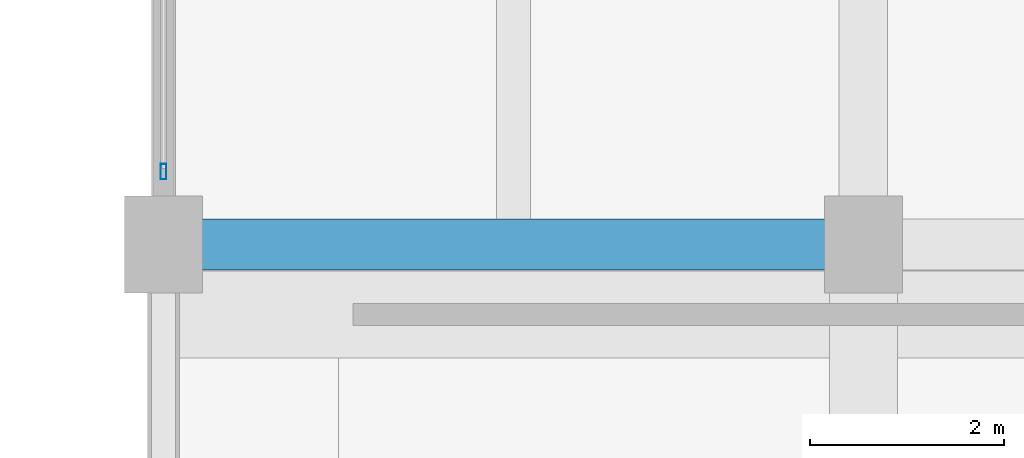
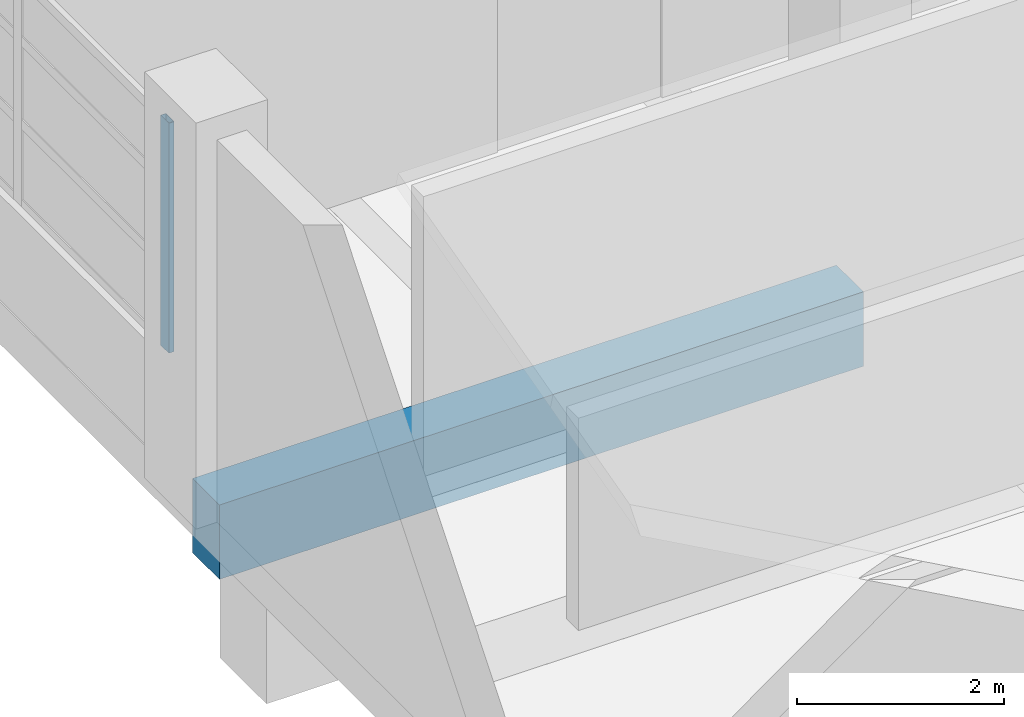
# One storey, part 4 of 140: 1 beam, 1 member, 1 element without a shape of its own.
"""IFC4 building model written with IfcOpenShell, lengths in metres."""

from ifc_helpers import new_model, si_unit, direction, frame, origin, origin_2d, place, context, subcontext, project, spatial, rectangle, hollow_rectangle, extrude, material, layer, layer_set, material_profile, profile_set, type_object, element, aggregate, save


model = new_model("IFC4")

# Units and contexts
model_context = context("Model", 3, precision=1e-05, world=origin(), true_north=direction((0.0, 1.0)))
body_context = subcontext(model_context, "Body", "Model", "MODEL_VIEW")
ifc_project = project(units=[si_unit("LENGTHUNIT", "METRE"), si_unit("AREAUNIT", "SQUARE_METRE"), si_unit("VOLUMEUNIT", "CUBIC_METRE"), si_unit("PLANEANGLEUNIT", "RADIAN"), si_unit("MASSUNIT", "GRAM", prefix="KILO")], contexts=[model_context])

# Site, building, storey
site_placement = place(None, origin())
site = spatial("IfcSite", under=ifc_project, at=site_placement, CompositionType="ELEMENT")
building_placement = place(site_placement, origin())
building = spatial("IfcBuilding", under=site, at=building_placement, Name="Seraya Terrace Polytechnic", CompositionType="ELEMENT")
storey_placement = place(building_placement, frame((0.0, 0.0, 9.60009765625)))
storey = spatial("IfcBuildingStorey", under=building, at=storey_placement, Name="L02", CompositionType="ELEMENT", Elevation=9.60009765625)

# Beam
ifc_material_1 = material(Name="Concrete C40/50", Category="concrete")
ifc_material_profile_1 = material_profile(ifc_material_1, rectangle(XDim=0.52001953125, YDim=0.8798828125, at=origin_2d()), Name="RC 520x880")
ifc_profile_set_1 = profile_set([ifc_material_profile_1], Name="Concrete C40/50")
beam_type = type_object("IfcBeamType", Name="BM-04", PredefinedType="BEAM", material=ifc_profile_set_1)
beam_placement = place(storey_placement, frame((0.0, 14.39990234375, -0.440185546875), z_axis=(1.0, 0.0, 0.0), x_axis=(0.0, 1.0, 0.0)))
element("IfcBeam", 1, at=beam_placement, inside=storey, type_object=beam_type, Name="Beam BM-04 L02 X (0.0..7.2, 14.4)", PredefinedType="BEAM", context=body_context, shape_type="SweptSolid", body=[
    extrude(rectangle(XDim=0.52001953125, YDim=0.8798828125, at=origin_2d()), origin(), (0.0, 0.0, 1.0), 7.199951171875),
])

# Curtain wall, member
ifc_material_2 = material(Name="Anodised aluminium EN AW-6063 T6", Category="aluminium")
ifc_layer = layer(ifc_material_2, 0.179931640625, Name="CW-05")
ifc_layer_set = layer_set([ifc_layer], Name="Anodised aluminium EN AW-6063 T6")
curtain_wall_type = type_object("IfcCurtainWallType", Name="CW-05", PredefinedType="NOTDEFINED", material=ifc_layer_set)
curtain_wall_placement = place(storey_placement, origin())
curtain_wall = element("IfcCurtainWall", 2, at=curtain_wall_placement, inside=storey, type_object=curtain_wall_type, Name="Unitised curtain wall CW-05 (CW-L02-077)", PredefinedType="NOTDEFINED")
ifc_material_profile_2 = material_profile(ifc_material_2, hollow_rectangle(XDim=0.06005859375, YDim=0.159912109375, WallThickness=0.00341796875, at=origin_2d()), Name="RHS 160x60x3.5")
ifc_profile_set_2 = profile_set([ifc_material_profile_2], Name="Anodised aluminium EN AW-6063 T6")
member_type = type_object("IfcMemberType", Name="CWM-02", PredefinedType="MULLION", material=ifc_profile_set_2)
member_placement = place(storey_placement, frame((0.0, 15.14990234375, 1.239990234375), z_axis=(0.0, 0.0, 1.0), x_axis=(-1.0, 0.0, 0.0)))
member = element("IfcMember", 3, at=member_placement, type_object=member_type, Name="CW-05 mullion 1", PredefinedType="MULLION", context=body_context, shape_type="SweptSolid", body=[
    extrude(hollow_rectangle(XDim=0.06005859375, YDim=0.159912109375, WallThickness=0.00341796875, at=origin_2d()), origin(), (0.0, 0.0, 1.0), 2.719970703125),
])
aggregate(curtain_wall, [member])

save(model, "model.ifc")
